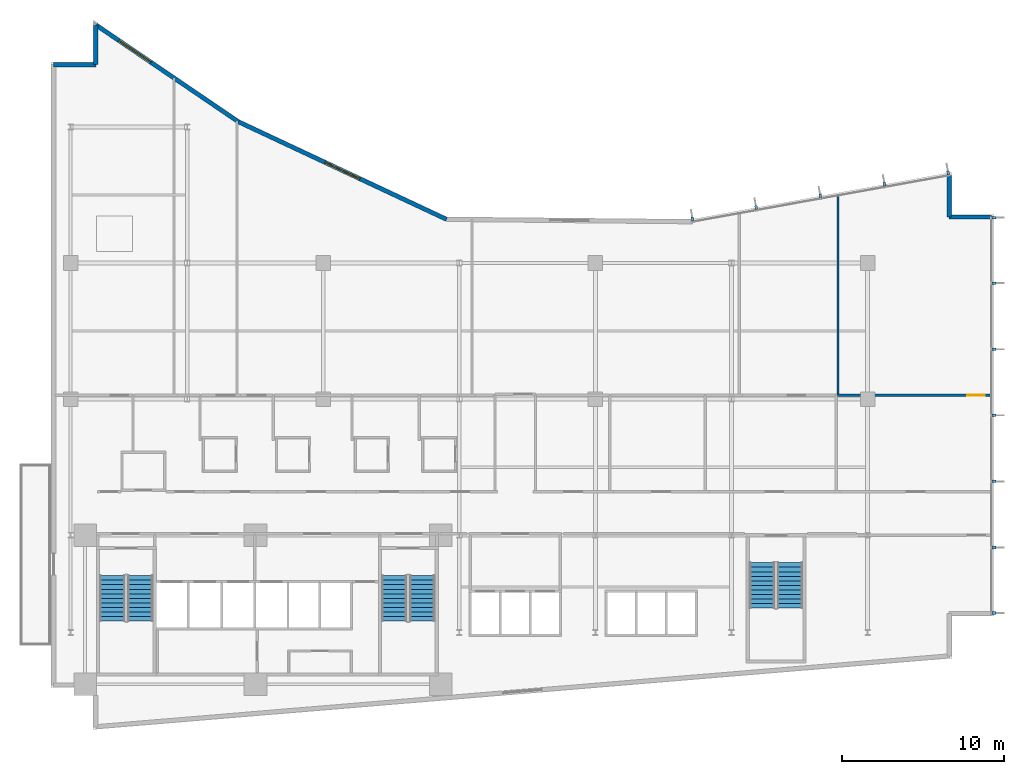
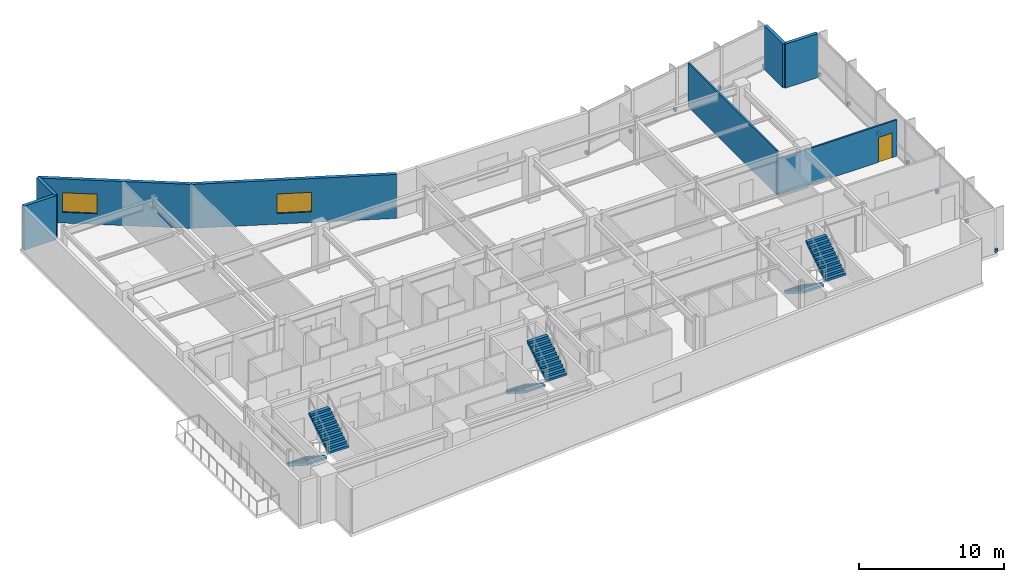
# One storey, part 16 of 21: 12 discrete accessories, 8 walls, 6 stair flights, 2 windows, 1 door, 3 openings, 3 elements without a shape of their own.
"""IFC4 building model written with IfcOpenShell, lengths in metres."""

from ifc_helpers import new_model, si_unit, direction, frame, frame_2d, origin, origin_2d, place, context, subcontext, project, spatial, polyline, rectangle, outline, extrude, material, layer, layer_set, type_object, element, fill, aggregate, save


model = new_model("IFC4")

# Units and contexts
model_context = context("Model", 3, precision=1e-05, world=origin(), true_north=direction((0.0, 1.0)))
body_context = subcontext(model_context, "Body", "Model", "MODEL_VIEW")
ifc_project = project(units=[si_unit("LENGTHUNIT", "METRE"), si_unit("AREAUNIT", "SQUARE_METRE"), si_unit("VOLUMEUNIT", "CUBIC_METRE"), si_unit("PLANEANGLEUNIT", "RADIAN"), si_unit("MASSUNIT", "GRAM", prefix="KILO")], contexts=[model_context])

# Site, building, storey
site_placement = place(None, origin())
site = spatial("IfcSite", under=ifc_project, at=site_placement, CompositionType="ELEMENT")
building_placement = place(site_placement, origin())
building = spatial("IfcBuilding", under=site, at=building_placement, Name="Varnakote Quay Hospital", CompositionType="ELEMENT")
storey_placement = place(building_placement, frame((0.0, 0.0, 77.800048828125)))
storey = spatial("IfcBuildingStorey", under=building, at=storey_placement, Name="L19", CompositionType="ELEMENT", Elevation=77.800048828125)

# Walls
ifc_material_1 = material(Name="Precast concrete N50 (f'c 50 MPa)", Category="concrete")
ifc_layer_1 = layer(ifc_material_1, 0.260009765625)
ifc_layer_set_1 = layer_set([ifc_layer_1], Name="Precast concrete N50 (f'c 50 MPa)")
wall_type_1 = type_object("IfcWallType", Name="WL-EXT-BRICK-260", PredefinedType="STANDARD", material=ifc_layer_set_1)
wall_1_placement = place(storey_placement, frame((58.0400390625, 31.639892578125, 0.0), z_axis=(0.0, 0.0, 1.0), x_axis=(-1.0, 0.0, 0.0)))
element("IfcWall", 1, at=wall_1_placement, inside=storey, type_object=wall_type_1, Name="L19 Brick-Faced Precast Exterior Wall", PredefinedType="STANDARD", context=body_context, shape_type="SweptSolid", body=[
    extrude(rectangle(XDim=2.60009765625, YDim=0.260009765625, at=frame_2d((1.300048828125, 0.0))), origin(), (0.0, 0.0, 1.0), 3.7099609375),
])
wall_2_placement = place(storey_placement, frame((55.43994140625, 31.639892578125, 0.0), z_axis=(0.0, 0.0, 1.0), x_axis=(0.0, 1.0, 0.0)))
element("IfcWall", 2, at=wall_2_placement, inside=storey, type_object=wall_type_1, Name="L19 Brick-Faced Precast Exterior Wall", PredefinedType="STANDARD", context=body_context, shape_type="SweptSolid", body=[
    extrude(rectangle(XDim=2.568603515625, YDim=0.260009765625, at=frame_2d((1.2841796875, 0.0))), origin(), (0.0, 0.0, 1.0), 3.7099609375),
])

# Wall, opening, window
wall_3_placement = place(storey_placement, frame((24.40771484375, 31.4921875, 0.0), z_axis=(0.0, 0.0, 1.0), x_axis=(-0.905396522918, 0.424566998585, 0.0)))
wall_3 = element("IfcWall", 3, at=wall_3_placement, inside=storey, type_object=wall_type_1, Name="L19 Brick-Faced Precast Exterior Wall", PredefinedType="STANDARD", context=body_context, shape_type="SweptSolid", body=[
    extrude(rectangle(XDim=14.189453125, YDim=0.260009765625, at=frame_2d((7.0947265625, 0.0))), origin(), (0.0, 0.0, 1.0), 3.7099609375),
])
opening_1_placement = place(wall_3_placement, frame((5.894775390625, 0.0, 0.89990234375)))
opening_1 = element("IfcOpeningElement", 4, at=opening_1_placement, cuts=wall_3, Name="Opening WN-0092", PredefinedType="OPENING", context=body_context, shape_type="SweptSolid", body=[
    extrude(rectangle(XDim=2.39990234375, YDim=1.64990234375, at=frame_2d((1.199951171875, 0.824951171875))), frame((0.0, 0.139892578125, 0.0), z_axis=(0.0, -1.0, 0.0), x_axis=(1.0, 0.0, 0.0)), (0.0, 0.0, 1.0), 0.280029296875),
])
ifc_material_2 = material(Name="Double-glazed low-E solar glass", Category="glass")
window_type = type_object("IfcWindowType", Name="WIN-CLIN-2400x1650", PartitioningType="SINGLE_PANEL", PredefinedType="WINDOW", material=ifc_material_2)
window_1_placement = place(opening_1_placement, origin())
window_1 = element("IfcWindow", 5, at=window_1_placement, inside=storey, type_object=window_type, Name="L19 Solar-Control Clinical Window", OverallHeight=1.64990234375, OverallWidth=2.39990234375, PartitioningType="SINGLE_PANEL", PredefinedType="WINDOW", context=body_context, shape_type="SweptSolid", body=[
    extrude(rectangle(XDim=2.39990234375, YDim=1.64990234375, at=frame_2d((1.199951171875, 0.824951171875))), frame((0.0, 0.030029296875, 0.0), z_axis=(0.0, -1.0, 0.0), x_axis=(1.0, 0.0, 0.0)), (0.0, 0.0, 1.0), 0.06005859375),
])
fill(opening_1, window_1)

wall_4_placement = place(storey_placement, frame((11.560546875, 37.5166015625, 0.0), z_axis=(0.0, 0.0, 1.0), x_axis=(-0.827064743936, 0.562106670782, 0.0)))
wall_4 = element("IfcWall", 6, at=wall_4_placement, inside=storey, type_object=wall_type_1, Name="L19 Brick-Faced Precast Exterior Wall", PredefinedType="STANDARD", context=body_context, shape_type="SweptSolid", body=[
    extrude(rectangle(XDim=10.640625, YDim=0.260009765625, at=frame_2d((5.3203125, 0.0))), origin(), (0.0, 0.0, 1.0), 3.7099609375),
])
opening_2_placement = place(wall_4_placement, frame((6.536865234375, 0.0, 0.89990234375)))
opening_2 = element("IfcOpeningElement", 7, at=opening_2_placement, cuts=wall_4, Name="Opening WN-0093", PredefinedType="OPENING", context=body_context, shape_type="SweptSolid", body=[
    extrude(rectangle(XDim=2.39990234375, YDim=1.64990234375, at=frame_2d((1.199951171875, 0.824951171875))), frame((0.0, 0.139892578125, 0.0), z_axis=(0.0, -1.0, 0.0), x_axis=(1.0, 0.0, 0.0)), (0.0, 0.0, 1.0), 0.280029296875),
])
window_2_placement = place(opening_2_placement, origin())
window_2 = element("IfcWindow", 8, at=window_2_placement, inside=storey, type_object=window_type, Name="L19 Solar-Control Clinical Window", OverallHeight=1.64990234375, OverallWidth=2.39990234375, PartitioningType="SINGLE_PANEL", PredefinedType="WINDOW", context=body_context, shape_type="SweptSolid", body=[
    extrude(rectangle(XDim=2.39990234375, YDim=1.64990234375, at=frame_2d((1.199951171875, 0.824951171875))), frame((0.0, 0.030029296875, 0.0), z_axis=(0.0, -1.0, 0.0), x_axis=(1.0, 0.0, 0.0)), (0.0, 0.0, 1.0), 0.06005859375),
])
fill(opening_2, window_2)

# Walls
wall_5_placement = place(storey_placement, frame((2.760009765625, 43.497802734375, 0.0), z_axis=(0.0, 0.0, 1.0), x_axis=(0.0, -1.0, 0.0)))
element("IfcWall", 9, at=wall_5_placement, inside=storey, type_object=wall_type_1, Name="L19 Brick-Faced Precast Exterior Wall", PredefinedType="STANDARD", context=body_context, shape_type="SweptSolid", body=[
    extrude(rectangle(XDim=2.457763671875, YDim=0.260009765625, at=frame_2d((1.22900390625, 0.0))), origin(), (0.0, 0.0, 1.0), 3.7099609375),
])
wall_6_placement = place(storey_placement, frame((2.760009765625, 41.0400390625, 0.0), z_axis=(0.0, 0.0, 1.0), x_axis=(-1.0, 0.0, 0.0)))
element("IfcWall", 10, at=wall_6_placement, inside=storey, type_object=wall_type_1, Name="L19 Brick-Faced Precast Exterior Wall", PredefinedType="STANDARD", context=body_context, shape_type="SweptSolid", body=[
    extrude(rectangle(XDim=2.60009765625, YDim=0.260009765625, at=frame_2d((1.300048828125, 0.0))), origin(), (0.0, 0.0, 1.0), 3.7099609375),
])

# Wall, opening, door
ifc_material_3 = material(Name="Smoke-proof clinical partition", Category="gypsum")
ifc_layer_2 = layer(ifc_material_3, 0.135009765625)
ifc_layer_set_2 = layer_set([ifc_layer_2], Name="Smoke-proof clinical partition")
wall_type_2 = type_object("IfcWallType", Name="WL-SMOKE-135", PredefinedType="PARTITIONING", material=ifc_layer_set_2)
wall_7_placement = place(storey_placement, frame((58.0400390625, 20.639892578125, 0.0), z_axis=(0.0, 0.0, 1.0), x_axis=(-1.0, 0.0, 0.0)))
wall_7 = element("IfcWall", 11, at=wall_7_placement, inside=storey, type_object=wall_type_2, Name="L19 Clinical Interior Partition", PredefinedType="PARTITIONING", context=body_context, shape_type="SweptSolid", body=[
    extrude(rectangle(XDim=9.512451171875, YDim=0.135009765625, at=frame_2d((4.75634765625, 0.0))), origin(), (0.0, 0.0, 1.0), 3.072998046875),
])
opening_3_placement = place(wall_7_placement, frame((0.400390625, 0.0, 0.0)))
opening_3 = element("IfcOpeningElement", 12, at=opening_3_placement, cuts=wall_7, Name="Opening D-L19-MD10", PredefinedType="OPENING", context=body_context, shape_type="SweptSolid", body=[
    extrude(rectangle(XDim=1.10009765625, YDim=2.10009765625, at=frame_2d((0.550048828125, 1.050048828125))), frame((0.0, 0.077392578125, 0.0), z_axis=(0.0, -1.0, 0.0), x_axis=(1.0, 0.0, 0.0)), (0.0, 0.0, 1.0), 0.155029296875),
])
ifc_material_4 = material(Name="Acoustic timber clinical consult door", Category="wood")
door_type = type_object("IfcDoorType", Name="DR-CLIN-FD30S-1100x2100", OperationType="NOTDEFINED", PredefinedType="DOOR", material=ifc_material_4)
door_placement = place(opening_3_placement, origin())
door = element("IfcDoor", 13, at=door_placement, inside=storey, type_object=door_type, Name="L19 Allied Health Teaching Laboratory Door", OperationType="SINGLE_SWING_LEFT", OverallHeight=2.10009765625, OverallWidth=1.10009765625, PredefinedType="DOOR", context=body_context, shape_type="SweptSolid", body=[
    extrude(rectangle(XDim=1.10009765625, YDim=2.10009765625, at=frame_2d((0.550048828125, 1.050048828125))), frame((0.0, 0.02490234375, 0.0), z_axis=(0.0, -1.0, 0.0), x_axis=(1.0, 0.0, 0.0)), (0.0, 0.0, 1.0), 0.050048828125),
])
fill(opening_3, door)

# Wall
wall_8_placement = place(storey_placement, frame((48.570068359375, 20.697509765625, 0.0), z_axis=(0.0, 0.0, 1.0), x_axis=(0.0, 1.0, 0.0)))
element("IfcWall", 14, at=wall_8_placement, inside=storey, type_object=wall_type_2, Name="L19 Clinical Interior Partition", PredefinedType="PARTITIONING", context=body_context, shape_type="SweptSolid", body=[
    extrude(rectangle(XDim=12.269287109375, YDim=0.135009765625, at=frame_2d((6.134765625, 0.0))), origin(), (0.0, 0.0, 1.0), 3.7099609375),
])

# Stair, stair flights
ifc_material_5 = material(Name="Concrete N40 (f'c 40 MPa)", Category="concrete")
stair_type = type_object("IfcStairType", Name="STR-CORE-1580", PredefinedType="HALF_TURN_STAIR", material=ifc_material_5)
stair_1_placement = place(storey_placement, origin())
stair_1 = element("IfcStair", 15, at=stair_1_placement, inside=storey, type_object=stair_type, Name="L19 Fire-Isolated Exit Stair ST-01", PredefinedType="HALF_TURN_STAIR")
ifc_material_6 = material(Name="Concrete N40 (f'c 40 MPa)", Category="concrete")
ifc_layer_3 = layer(ifc_material_6, 0.159912109375)
ifc_layer_set_3 = layer_set([ifc_layer_3], Name="Concrete N40 (f'c 40 MPa)")
stair_flight_type = type_object("IfcStairFlightType", Name="FLT-CORE-1580", PredefinedType="STRAIGHT", material=ifc_layer_set_3)
stair_flight_1_placement = place(storey_placement, frame((3.7900390625, 9.5, 0.0), z_axis=(0.0, 0.0, 1.0), x_axis=(0.0, -1.0, 0.0)))
stair_flight_1 = element("IfcStairFlight", 16, at=stair_flight_1_placement, type_object=stair_flight_type, Name="ST-01 flight 1", NumberOfRisers=11, NumberOfTreads=10, PredefinedType="STRAIGHT", RiserHeight=0.179545455, TreadLength=0.28, context=body_context, shape_type="SweptSolid", body=[
    extrude(outline(polyline([(0.0, 0.0), (0.0, 0.179443359375), (0.280029296875, 0.179443359375), (0.280029296875, 0.359130859375), (0.56005859375, 0.359130859375), (0.56005859375, 0.53857421875), (0.840087890625, 0.53857421875), (0.840087890625, 0.71826171875), (1.1201171875, 0.71826171875), (1.1201171875, 0.897705078125), (1.39990234375, 0.897705078125), (1.39990234375, 1.077392578125), (1.679931640625, 1.077392578125), (1.679931640625, 1.2568359375), (1.9599609375, 1.2568359375), (1.9599609375, 1.436279296875), (2.239990234375, 1.436279296875), (2.239990234375, 1.615966796875), (2.52001953125, 1.615966796875), (2.52001953125, 1.79541015625), (2.800048828125, 1.79541015625), (2.800048828125, 1.97509765625), (2.800048828125, 1.60546875), (0.296142578125, 0.0), (0.0, 0.0)])), frame((0.0, 0.7900390625, 0.0), z_axis=(0.0, -1.0, 0.0), x_axis=(1.0, 0.0, 0.0)), (0.0, 0.0, 1.0), 1.580078125),
])
stair_flight_2_placement = place(storey_placement, frame((5.510009765625, 6.699951171875, 1.974853515625), z_axis=(0.0, 0.0, 1.0), x_axis=(0.0, 1.0, 0.0)))
stair_flight_2 = element("IfcStairFlight", 17, at=stair_flight_2_placement, type_object=stair_flight_type, Name="ST-01 flight 2", NumberOfRisers=11, NumberOfTreads=10, PredefinedType="STRAIGHT", RiserHeight=0.179545455, TreadLength=0.28, context=body_context, shape_type="SweptSolid", body=[
    extrude(outline(polyline([(0.0, 0.0), (0.0, 0.179443359375), (0.280029296875, 0.179443359375), (0.280029296875, 0.359130859375), (0.56005859375, 0.359130859375), (0.56005859375, 0.53857421875), (0.840087890625, 0.53857421875), (0.840087890625, 0.71826171875), (1.1201171875, 0.71826171875), (1.1201171875, 0.897705078125), (1.39990234375, 0.897705078125), (1.39990234375, 1.077392578125), (1.679931640625, 1.077392578125), (1.679931640625, 1.2568359375), (1.9599609375, 1.2568359375), (1.9599609375, 1.436279296875), (2.239990234375, 1.436279296875), (2.239990234375, 1.615966796875), (2.52001953125, 1.615966796875), (2.52001953125, 1.79541015625), (2.800048828125, 1.79541015625), (2.800048828125, 1.97509765625), (2.800048828125, 1.60546875), (0.296142578125, 0.0), (0.0, 0.0)])), frame((0.0, 0.7900390625, 0.0), z_axis=(0.0, -1.0, 0.0), x_axis=(1.0, 0.0, 0.0)), (0.0, 0.0, 1.0), 1.580078125),
])
aggregate(stair_1, [stair_flight_1, stair_flight_2])

stair_2_placement = place(storey_placement, origin())
stair_2 = element("IfcStair", 18, at=stair_2_placement, inside=storey, type_object=stair_type, Name="L19 Fire-Isolated Exit Stair ST-02", PredefinedType="HALF_TURN_STAIR")
stair_flight_3_placement = place(storey_placement, frame((21.18994140625, 9.5, 0.0), z_axis=(0.0, 0.0, 1.0), x_axis=(0.0, -1.0, 0.0)))
stair_flight_3 = element("IfcStairFlight", 19, at=stair_flight_3_placement, type_object=stair_flight_type, Name="ST-02 flight 1", NumberOfRisers=11, NumberOfTreads=10, PredefinedType="STRAIGHT", RiserHeight=0.179545455, TreadLength=0.28, context=body_context, shape_type="SweptSolid", body=[
    extrude(outline(polyline([(0.0, 0.0), (0.0, 0.179443359375), (0.280029296875, 0.179443359375), (0.280029296875, 0.359130859375), (0.56005859375, 0.359130859375), (0.56005859375, 0.53857421875), (0.840087890625, 0.53857421875), (0.840087890625, 0.71826171875), (1.1201171875, 0.71826171875), (1.1201171875, 0.897705078125), (1.39990234375, 0.897705078125), (1.39990234375, 1.077392578125), (1.679931640625, 1.077392578125), (1.679931640625, 1.2568359375), (1.9599609375, 1.2568359375), (1.9599609375, 1.436279296875), (2.239990234375, 1.436279296875), (2.239990234375, 1.615966796875), (2.52001953125, 1.615966796875), (2.52001953125, 1.79541015625), (2.800048828125, 1.79541015625), (2.800048828125, 1.97509765625), (2.800048828125, 1.60546875), (0.296142578125, 0.0), (0.0, 0.0)])), frame((0.0, 0.7900390625, 0.0), z_axis=(0.0, -1.0, 0.0), x_axis=(1.0, 0.0, 0.0)), (0.0, 0.0, 1.0), 1.580078125),
])
stair_flight_4_placement = place(storey_placement, frame((22.909912109375, 6.699951171875, 1.974853515625), z_axis=(0.0, 0.0, 1.0), x_axis=(0.0, 1.0, 0.0)))
stair_flight_4 = element("IfcStairFlight", 20, at=stair_flight_4_placement, type_object=stair_flight_type, Name="ST-02 flight 2", NumberOfRisers=11, NumberOfTreads=10, PredefinedType="STRAIGHT", RiserHeight=0.179545455, TreadLength=0.28, context=body_context, shape_type="SweptSolid", body=[
    extrude(outline(polyline([(0.0, 0.0), (0.0, 0.179443359375), (0.280029296875, 0.179443359375), (0.280029296875, 0.359130859375), (0.56005859375, 0.359130859375), (0.56005859375, 0.53857421875), (0.840087890625, 0.53857421875), (0.840087890625, 0.71826171875), (1.1201171875, 0.71826171875), (1.1201171875, 0.897705078125), (1.39990234375, 0.897705078125), (1.39990234375, 1.077392578125), (1.679931640625, 1.077392578125), (1.679931640625, 1.2568359375), (1.9599609375, 1.2568359375), (1.9599609375, 1.436279296875), (2.239990234375, 1.436279296875), (2.239990234375, 1.615966796875), (2.52001953125, 1.615966796875), (2.52001953125, 1.79541015625), (2.800048828125, 1.79541015625), (2.800048828125, 1.97509765625), (2.800048828125, 1.60546875), (0.296142578125, 0.0), (0.0, 0.0)])), frame((0.0, 0.7900390625, 0.0), z_axis=(0.0, -1.0, 0.0), x_axis=(1.0, 0.0, 0.0)), (0.0, 0.0, 1.0), 1.580078125),
])
aggregate(stair_2, [stair_flight_3, stair_flight_4])

stair_3_placement = place(storey_placement, origin())
stair_3 = element("IfcStair", 21, at=stair_3_placement, inside=storey, type_object=stair_type, Name="L19 Fire-Isolated Exit Stair ST-03", PredefinedType="HALF_TURN_STAIR")
stair_flight_5_placement = place(storey_placement, frame((43.889892578125, 10.300048828125, 0.0), z_axis=(0.0, 0.0, 1.0), x_axis=(0.0, -1.0, 0.0)))
stair_flight_5 = element("IfcStairFlight", 22, at=stair_flight_5_placement, type_object=stair_flight_type, Name="ST-03 flight 1", NumberOfRisers=11, NumberOfTreads=10, PredefinedType="STRAIGHT", RiserHeight=0.179545455, TreadLength=0.28, context=body_context, shape_type="SweptSolid", body=[
    extrude(outline(polyline([(0.0, 0.0), (0.0, 0.179443359375), (0.280029296875, 0.179443359375), (0.280029296875, 0.359130859375), (0.56005859375, 0.359130859375), (0.56005859375, 0.53857421875), (0.840087890625, 0.53857421875), (0.840087890625, 0.71826171875), (1.1201171875, 0.71826171875), (1.1201171875, 0.897705078125), (1.39990234375, 0.897705078125), (1.39990234375, 1.077392578125), (1.679931640625, 1.077392578125), (1.679931640625, 1.2568359375), (1.9599609375, 1.2568359375), (1.9599609375, 1.436279296875), (2.239990234375, 1.436279296875), (2.239990234375, 1.615966796875), (2.52001953125, 1.615966796875), (2.52001953125, 1.79541015625), (2.800048828125, 1.79541015625), (2.800048828125, 1.97509765625), (2.800048828125, 1.60546875), (0.296142578125, 0.0), (0.0, 0.0)])), frame((0.0, 0.7900390625, 0.0), z_axis=(0.0, -1.0, 0.0), x_axis=(1.0, 0.0, 0.0)), (0.0, 0.0, 1.0), 1.580078125),
])
stair_flight_6_placement = place(storey_placement, frame((45.610107421875, 7.5, 1.974853515625), z_axis=(0.0, 0.0, 1.0), x_axis=(0.0, 1.0, 0.0)))
stair_flight_6 = element("IfcStairFlight", 23, at=stair_flight_6_placement, type_object=stair_flight_type, Name="ST-03 flight 2", NumberOfRisers=11, NumberOfTreads=10, PredefinedType="STRAIGHT", RiserHeight=0.179545455, TreadLength=0.28, context=body_context, shape_type="SweptSolid", body=[
    extrude(outline(polyline([(0.0, 0.0), (0.0, 0.179443359375), (0.280029296875, 0.179443359375), (0.280029296875, 0.359130859375), (0.56005859375, 0.359130859375), (0.56005859375, 0.53857421875), (0.840087890625, 0.53857421875), (0.840087890625, 0.71826171875), (1.1201171875, 0.71826171875), (1.1201171875, 0.897705078125), (1.39990234375, 0.897705078125), (1.39990234375, 1.077392578125), (1.679931640625, 1.077392578125), (1.679931640625, 1.2568359375), (1.9599609375, 1.2568359375), (1.9599609375, 1.436279296875), (2.239990234375, 1.436279296875), (2.239990234375, 1.615966796875), (2.52001953125, 1.615966796875), (2.52001953125, 1.79541015625), (2.800048828125, 1.79541015625), (2.800048828125, 1.97509765625), (2.800048828125, 1.60546875), (0.296142578125, 0.0), (0.0, 0.0)])), frame((0.0, 0.7900390625, 0.0), z_axis=(0.0, -1.0, 0.0), x_axis=(1.0, 0.0, 0.0)), (0.0, 0.0, 1.0), 1.580078125),
])
aggregate(stair_3, [stair_flight_5, stair_flight_6])

# Discrete accessories
ifc_material_7 = material(Name="Anodised aluminium 6063-T6 Bronze", Category="aluminium")
discrete_accessory_type = type_object("IfcDiscreteAccessoryType", Name="ACC-FIN-BRACKET-180", PredefinedType="BRACKET", material=ifc_material_7)
for number, where, z_axis, x_axis, name in (
    (24, (58.2099609375, 7.197509765625, 0.0), (0.0, 0.0, 1.0), (0.0, 1.0, 0.0), "L19 Curtain Wall Fin Fixing Bracket"),
    (25, (58.2099609375, 11.239990234375, 0.0), (0.0, 0.0, 1.0), (0.0, 1.0, 0.0), "L19 Curtain Wall Fin Fixing Bracket"),
    (26, (58.2099609375, 15.320068359375, 0.0), (0.0, 0.0, 1.0), (0.0, 1.0, 0.0), "L19 Curtain Wall Fin Fixing Bracket"),
    (27, (58.2099609375, 19.39990234375, 0.0), (0.0, 0.0, 1.0), (0.0, 1.0, 0.0), "L19 Curtain Wall Fin Fixing Bracket"),
    (28, (58.2099609375, 23.47998046875, 0.0), (0.0, 0.0, 1.0), (0.0, 1.0, 0.0), "L19 Curtain Wall Fin Fixing Bracket"),
    (29, (58.2099609375, 27.56005859375, 0.0), (0.0, 0.0, 1.0), (0.0, 1.0, 0.0), "L19 Curtain Wall Fin Fixing Bracket"),
    (30, (58.2099609375, 31.6025390625, 0.0), (0.0, 0.0, 1.0), (0.0, 1.0, 0.0), "L19 Curtain Wall Fin Fixing Bracket"),
    (31, (55.372802734375, 34.369140625, 0.0), (0.0, 0.0, 1.0), (-0.984071739666, -0.177771795263, 0.0), "L19 Curtain Wall Fin Fixing Bracket"),
    (32, (51.447265625, 33.65966796875, 0.0), (0.0, 0.0, 1.0), (-0.984071739666, -0.177771795263, 0.0), "L19 Curtain Wall Fin Fixing Bracket"),
    (33, (47.484619140625, 32.943603515625, 0.0), (0.0, 0.0, 1.0), (-0.984071739666, -0.177771795263, 0.0), "L19 Curtain Wall Fin Fixing Bracket"),
    (34, (43.52197265625, 32.227294921875, 0.0), (0.0, 0.0, 1.0), (-0.984071739666, -0.177771795263, 0.0), "L19 Curtain Wall Fin Fixing Bracket"),
    (35, (39.59619140625, 31.517822265625, 0.0), (0.0, 0.0, 1.0), (-0.984071739666, -0.177771795263, 0.0), "L19 Curtain Wall Fin Fixing Bracket"),
):
    element("IfcDiscreteAccessory", number, at=place(storey_placement, frame(where, z_axis=z_axis, x_axis=x_axis)), inside=storey, type_object=discrete_accessory_type, Name=name, PredefinedType="BRACKET", context=body_context, shape_type="SweptSolid", body=[
        extrude(rectangle(XDim=0.159912109375, YDim=0.239990234375, at=origin_2d()), origin(), (0.0, 0.0, 1.0), 0.280029296875),
    ])

save(model, "model.ifc")
